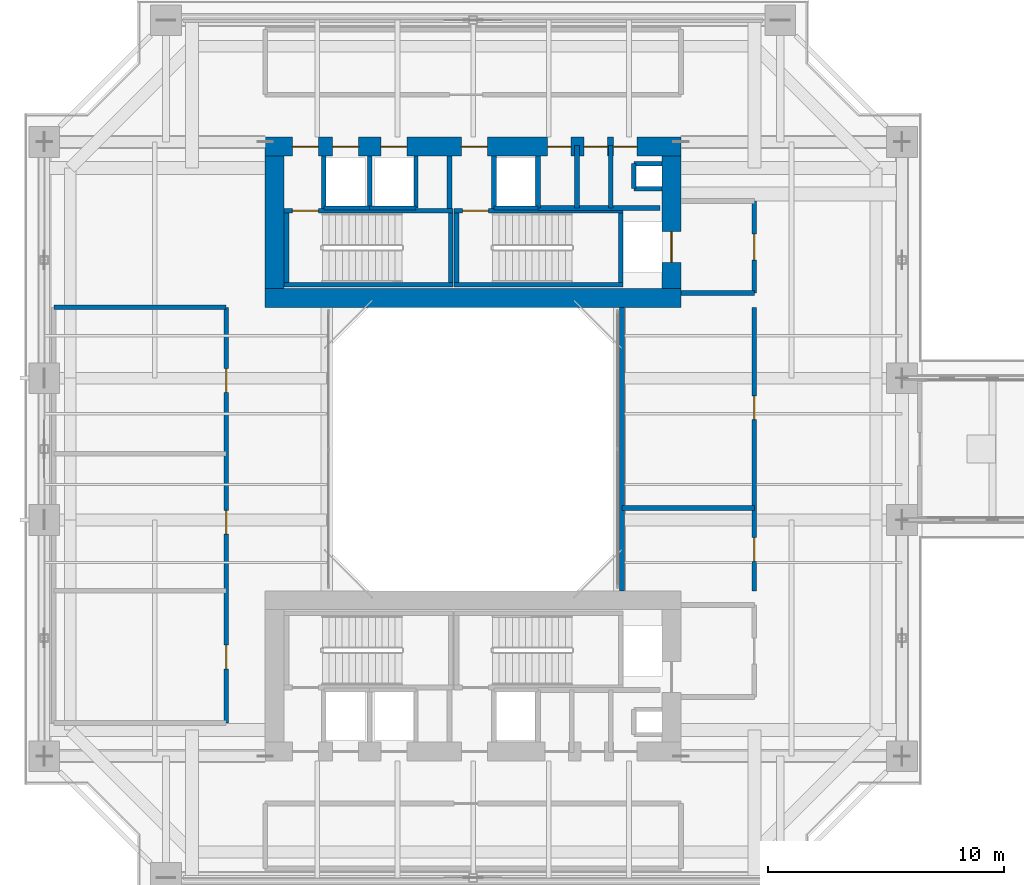
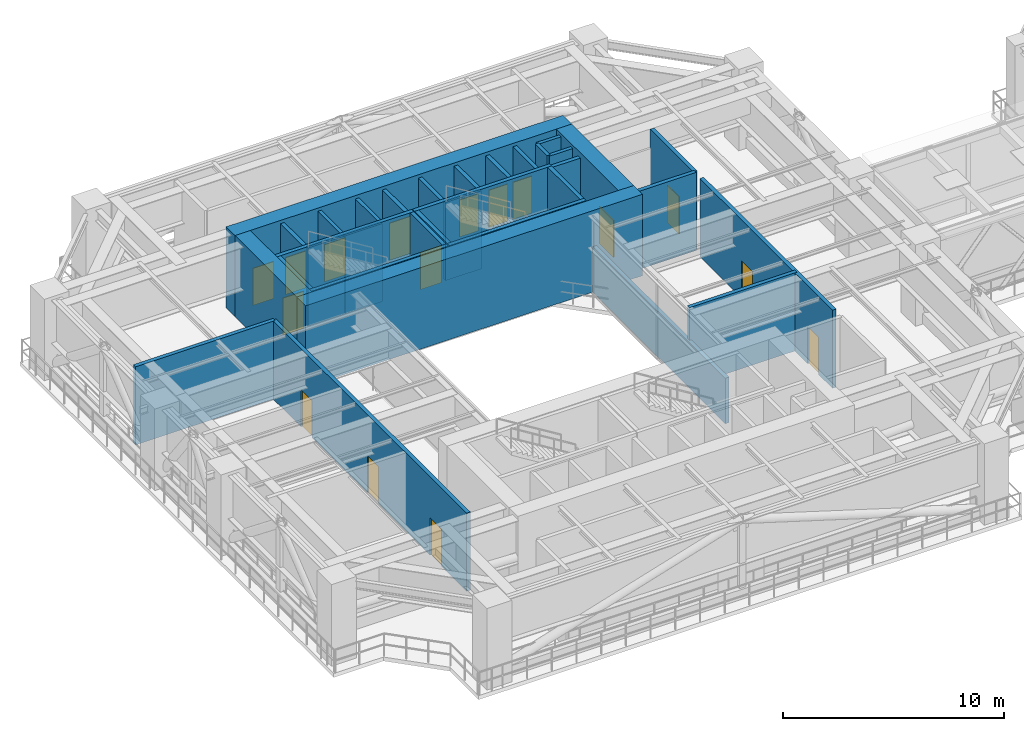
# One storey, part 18 of 25: 34 walls, 16 doors, 16 openings.
"""IFC4 building model written with IfcOpenShell, lengths in metres."""

from ifc_helpers import new_model, si_unit, direction, frame, frame_2d, origin, place, context, subcontext, project, spatial, rectangle, extrude, source, transform, mapped, material, layer, layer_set, type_object, element, fill, save


model = new_model("IFC4")

# Units and contexts
model_context = context("Model", 3, precision=1e-05, world=origin(), true_north=direction((0.0, 1.0)))
body_context = subcontext(model_context, "Body", "Model", "MODEL_VIEW")
ifc_project = project(units=[si_unit("LENGTHUNIT", "METRE"), si_unit("AREAUNIT", "SQUARE_METRE"), si_unit("VOLUMEUNIT", "CUBIC_METRE"), si_unit("PLANEANGLEUNIT", "RADIAN"), si_unit("MASSUNIT", "GRAM", prefix="KILO"), si_unit("THERMODYNAMICTEMPERATUREUNIT", "KELVIN"), si_unit("POWERUNIT", "WATT")], contexts=[model_context])

# Site, building, storey
site_placement = place(None, origin())
site = spatial("IfcSite", under=ifc_project, at=site_placement, CompositionType="ELEMENT")
building_placement = place(site_placement, origin())
building = spatial("IfcBuilding", under=site, at=building_placement, Name="Qiaomeng Ring Towers", CompositionType="ELEMENT")
storey_placement = place(building_placement, frame((0.0, 0.0, 92.5)))
storey = spatial("IfcBuildingStorey", under=building, at=storey_placement, Name="L26", CompositionType="ELEMENT", Elevation=92.5)

# Wall
ifc_material_1 = material(Name="Autoclaved aerated concrete block", Category="concrete")
ifc_layer_1 = layer(ifc_material_1, 0.199951171875, Name="Autoclaved aerated concrete block")
ifc_layer_set_1 = layer_set([ifc_layer_1], Name="Autoclaved aerated concrete block")
wall_type_1 = type_object("IfcWallType", Name="ARC-WL-PW1", PredefinedType="PARTITIONING", material=ifc_layer_set_1)
wall_1_placement = place(storey_placement, frame((27.800048828125, 29.60009765625, 0.0), z_axis=(0.0, 0.0, 1.0), x_axis=(1.0, 0.0, 0.0)))
element("IfcWall", 1, at=wall_1_placement, inside=storey, type_object=wall_type_1, Name="L26 Interior Wall PW1", PredefinedType="PARTITIONING", context=body_context, shape_type="SweptSolid", body=[
    extrude(rectangle(XDim=3.099853515625, YDim=0.199951171875, at=frame_2d((1.5498046875, 0.0))), origin(), (0.0, 0.0, 1.0), 4.320068359375),
])

# Wall, opening, door
wall_2_placement = place(storey_placement, frame((30.89990234375, 29.60009765625, 0.0), z_axis=(0.0, 0.0, 1.0), x_axis=(0.0, 1.0, 0.0)))
wall_2 = element("IfcWall", 2, at=wall_2_placement, inside=storey, type_object=wall_type_1, Name="L26 Interior Wall PW1", PredefinedType="PARTITIONING", context=body_context, shape_type="SweptSolid", body=[
    extrude(rectangle(XDim=3.89990234375, YDim=0.199951171875, at=frame_2d((1.949951171875, 0.0))), origin(), (0.0, 0.0, 1.0), 4.320068359375),
])
opening_1_placement = place(wall_2_placement, frame((1.39990234375, 0.0, 0.0)))
opening_1 = element("IfcOpeningElement", 3, at=opening_1_placement, cuts=wall_2, Name="Opening FD3", PredefinedType="OPENING", context=body_context, shape_type="SweptSolid", body=[
    extrude(rectangle(XDim=1.10009765625, YDim=2.050048828125, at=frame_2d((0.550048828125, 1.02490234375))), frame((0.0, 0.10986328125, 0.0), z_axis=(0.0, -1.0, 0.0), x_axis=(1.0, 0.0, 0.0)), (0.0, 0.0, 1.0), 0.219970703125),
])
ifc_material_2 = material(Name="Galvanised steel", Category="steel")
door_type_1 = type_object("IfcDoorType", Name="ARC-DR-FD3", OperationType="NOTDEFINED", PredefinedType="DOOR", material=ifc_material_2)
shared_shape_1 = source(origin(), body_context, "Body", "SweptSolid", [
    extrude(rectangle(XDim=1.10009765625, YDim=2.050048828125, at=frame_2d((0.550048828125, 1.02490234375))), frame((0.0, 0.02490234375, 0.0), z_axis=(0.0, -1.0, 0.0), x_axis=(1.0, 0.0, 0.0)), (0.0, 0.0, 1.0), 0.050048828125),
])
door_1_placement = place(opening_1_placement, origin())
door_1 = element("IfcDoor", 4, at=door_1_placement, inside=storey, type_object=door_type_1, Name="L26 North FF Lobby Door", OperationType="SINGLE_SWING_LEFT", OverallHeight=2.050048828125, OverallWidth=1.10009765625, PredefinedType="DOOR", context=body_context, shape_type="MappedRepresentation", body=[
    mapped(shared_shape_1, transform((0.0, 0.0, 0.0), x_axis=(1.0, 0.0, 0.0), y_axis=(0.0, 1.0, 0.0), z_axis=(0.0, 0.0, 1.0), scale=1.0)),
])
fill(opening_1, door_1)

# Walls
for number, where, z_axis, x_axis, name in (
    (5, (12.679931640625, 33.18994140625, 0.0), (0.0, 0.0, 1.0), (0.0, 1.0, 0.0), "L26 Interior Wall PW1"),
    (6, (18.0, 33.18994140625, 0.0), (0.0, 0.0, 1.0), (0.0, 1.0, 0.0), "L26 Interior Wall PW1"),
    (7, (19.8798828125, 33.18994140625, 0.0), (0.0, 0.0, 1.0), (0.0, 1.0, 0.0), "L26 Interior Wall PW1"),
):
    element("IfcWall", number, at=place(storey_placement, frame(where, z_axis=z_axis, x_axis=x_axis)), inside=storey, type_object=wall_type_1, Name=name, PredefinedType="PARTITIONING", context=body_context, shape_type="SweptSolid", body=[
        extrude(rectangle(XDim=2.2099609375, YDim=0.199951171875, at=frame_2d((1.10498046875, 0.0))), origin(), (0.0, 0.0, 1.0), 4.320068359375),
    ])
wall_3_placement = place(storey_placement, frame((24.820068359375, 33.199951171875, 0.0), z_axis=(0.0, 0.0, 1.0), x_axis=(0.0, 1.0, 0.0)))
element("IfcWall", 8, at=wall_3_placement, inside=storey, type_object=wall_type_1, Name="L26 Interior Wall PW1", PredefinedType="PARTITIONING", context=body_context, shape_type="SweptSolid", body=[
    extrude(rectangle(XDim=2.650146484375, YDim=0.199951171875, at=frame_2d((1.3251953125, 0.0))), origin(), (0.0, 0.0, 1.0), 4.320068359375),
])
wall_4_placement = place(storey_placement, frame((21.75, 33.199951171875, 0.0), z_axis=(0.0, 0.0, 1.0), x_axis=(0.0, 1.0, 0.0)))
element("IfcWall", 9, at=wall_4_placement, inside=storey, type_object=wall_type_1, Name="L26 Interior Wall PW1", PredefinedType="PARTITIONING", context=body_context, shape_type="SweptSolid", body=[
    extrude(rectangle(XDim=2.199951171875, YDim=0.199951171875, at=frame_2d((1.10009765625, 0.0))), origin(), (0.0, 0.0, 1.0), 4.320068359375),
])
wall_5_placement = place(storey_placement, frame((23.39990234375, 33.199951171875, 0.0), z_axis=(0.0, 0.0, 1.0), x_axis=(0.0, 1.0, 0.0)))
element("IfcWall", 10, at=wall_5_placement, inside=storey, type_object=wall_type_1, Name="L26 Interior Wall PW1", PredefinedType="PARTITIONING", context=body_context, shape_type="SweptSolid", body=[
    extrude(rectangle(XDim=2.650146484375, YDim=0.199951171875, at=frame_2d((1.3251953125, 0.0))), origin(), (0.0, 0.0, 1.0), 4.320068359375),
])
wall_6_placement = place(storey_placement, frame((21.75, 33.199951171875, 0.0), z_axis=(0.0, 0.0, 1.0), x_axis=(1.0, 0.0, 0.0)))
element("IfcWall", 11, at=wall_6_placement, inside=storey, type_object=wall_type_1, Name="L26 Interior Wall PW1", PredefinedType="PARTITIONING", context=body_context, shape_type="SweptSolid", body=[
    extrude(rectangle(XDim=5.169921875, YDim=0.199951171875, at=frame_2d((2.5849609375, 0.0))), origin(), (0.0, 0.0, 1.0), 4.320068359375),
])

# Wall, openings, doors
wall_7_placement = place(storey_placement, frame((8.550048828125, 11.39990234375, 0.0), z_axis=(0.0, 0.0, 1.0), x_axis=(0.0, 1.0, 0.0)))
wall_7 = element("IfcWall", 12, at=wall_7_placement, inside=storey, type_object=wall_type_1, Name="L26 Interior Wall PW1", PredefinedType="PARTITIONING", context=body_context, shape_type="SweptSolid", body=[
    extrude(rectangle(XDim=17.60009765625, YDim=0.199951171875, at=frame_2d((8.800048828125, 0.0))), origin(), (0.0, 0.0, 1.0), 4.320068359375),
])
opening_2_placement = place(wall_7_placement, frame((8.0, 0.0, 0.0)))
opening_2 = element("IfcOpeningElement", 13, at=opening_2_placement, cuts=wall_7, Name="Opening FD1", PredefinedType="OPENING", context=body_context, shape_type="SweptSolid", body=[
    extrude(rectangle(XDim=1.0, YDim=2.050048828125, at=frame_2d((0.5, 1.02490234375))), frame((0.0, 0.10986328125, 0.0), z_axis=(0.0, -1.0, 0.0), x_axis=(1.0, 0.0, 0.0)), (0.0, 0.0, 1.0), 0.219970703125),
])
opening_3_placement = place(wall_7_placement, frame((14.0, 0.0, 0.0)))
opening_3 = element("IfcOpeningElement", 14, at=opening_3_placement, cuts=wall_7, Name="Opening FD1", PredefinedType="OPENING", context=body_context, shape_type="SweptSolid", body=[
    extrude(rectangle(XDim=1.0, YDim=2.050048828125, at=frame_2d((0.5, 1.02490234375))), frame((0.0, 0.10986328125, 0.0), z_axis=(0.0, -1.0, 0.0), x_axis=(1.0, 0.0, 0.0)), (0.0, 0.0, 1.0), 0.219970703125),
])
opening_4_placement = place(wall_7_placement, frame((2.300048828125, 0.0, 0.0)))
opening_4 = element("IfcOpeningElement", 15, at=opening_4_placement, cuts=wall_7, Name="Opening FD1", PredefinedType="OPENING", context=body_context, shape_type="SweptSolid", body=[
    extrude(rectangle(XDim=1.0, YDim=2.050048828125, at=frame_2d((0.5, 1.02490234375))), frame((0.0, 0.10986328125, 0.0), z_axis=(0.0, -1.0, 0.0), x_axis=(1.0, 0.0, 0.0)), (0.0, 0.0, 1.0), 0.219970703125),
])
door_type_2 = type_object("IfcDoorType", Name="ARC-DR-FD1", OperationType="NOTDEFINED", PredefinedType="DOOR", material=ifc_material_2)
shared_shape_2 = source(origin(), body_context, "Body", "SweptSolid", [
    extrude(rectangle(XDim=1.0, YDim=2.050048828125, at=frame_2d((0.5, 1.02490234375))), frame((0.0, 0.02490234375, 0.0), z_axis=(0.0, -1.0, 0.0), x_axis=(1.0, 0.0, 0.0)), (0.0, 0.0, 1.0), 0.050048828125),
])
door_2_placement = place(opening_2_placement, origin())
door_2 = element("IfcDoor", 16, at=door_2_placement, inside=storey, type_object=door_type_2, Name="L26 Door FD1", OperationType="SINGLE_SWING_LEFT", OverallHeight=2.050048828125, OverallWidth=1.0, PredefinedType="DOOR", context=body_context, shape_type="MappedRepresentation", body=[
    mapped(shared_shape_2, transform((0.0, 0.0, 0.0), x_axis=(1.0, 0.0, 0.0), y_axis=(0.0, 1.0, 0.0), z_axis=(0.0, 0.0, 1.0), scale=1.0)),
])
fill(opening_2, door_2)
door_3_placement = place(opening_3_placement, origin())
door_3 = element("IfcDoor", 17, at=door_3_placement, inside=storey, type_object=door_type_2, Name="L26 Door FD1", OperationType="SINGLE_SWING_RIGHT", OverallHeight=2.050048828125, OverallWidth=1.0, PredefinedType="DOOR", context=body_context, shape_type="MappedRepresentation", body=[
    mapped(shared_shape_2, transform((0.0, 0.0, 0.0), x_axis=(1.0, 0.0, 0.0), y_axis=(0.0, 1.0, 0.0), z_axis=(0.0, 0.0, 1.0), scale=1.0)),
])
fill(opening_3, door_3)
door_4_placement = place(opening_4_placement, origin())
door_4 = element("IfcDoor", 18, at=door_4_placement, inside=storey, type_object=door_type_2, Name="L26 Door FD1", OperationType="SINGLE_SWING_LEFT", OverallHeight=2.050048828125, OverallWidth=1.0, PredefinedType="DOOR", context=body_context, shape_type="MappedRepresentation", body=[
    mapped(shared_shape_2, transform((0.0, 0.0, 0.0), x_axis=(1.0, 0.0, 0.0), y_axis=(0.0, 1.0, 0.0), z_axis=(0.0, 0.0, 1.0), scale=1.0)),
])
fill(opening_4, door_4)

# Walls
wall_8_placement = place(storey_placement, frame((1.25, 29.0, 0.0), z_axis=(0.0, 0.0, 1.0), x_axis=(1.0, 0.0, 0.0)))
element("IfcWall", 19, at=wall_8_placement, inside=storey, type_object=wall_type_1, Name="L26 Interior Wall PW1", PredefinedType="PARTITIONING", context=body_context, shape_type="SweptSolid", body=[
    extrude(rectangle(XDim=7.300048828125, YDim=0.199951171875, at=frame_2d((3.64990234375, 0.0))), origin(), (0.0, 0.0, 1.0), 4.320068359375),
])
wall_9_placement = place(storey_placement, frame((25.300048828125, 17.0, 0.0), z_axis=(0.0, 0.0, 1.0), x_axis=(0.0, 1.0, 0.0)))
element("IfcWall", 20, at=wall_9_placement, inside=storey, type_object=wall_type_1, Name="L26 Interior Wall PW1", PredefinedType="PARTITIONING", context=body_context, shape_type="SweptSolid", body=[
    extrude(rectangle(XDim=12.0, YDim=0.199951171875, at=frame_2d((6.0, 0.0))), origin(), (0.0, 0.0, 1.0), 2.514892578125),
])
wall_10_placement = place(storey_placement, frame((25.300048828125, 20.5, 0.0), z_axis=(0.0, 0.0, 1.0), x_axis=(1.0, 0.0, 0.0)))
element("IfcWall", 21, at=wall_10_placement, inside=storey, type_object=wall_type_1, Name="L26 Interior Wall PW1", PredefinedType="PARTITIONING", context=body_context, shape_type="SweptSolid", body=[
    extrude(rectangle(XDim=5.599853515625, YDim=0.199951171875, at=frame_2d((2.7998046875, 0.0))), origin(), (0.0, 0.0, 1.0), 4.320068359375),
])

# Wall, openings, doors
wall_11_placement = place(storey_placement, frame((30.89990234375, 17.0, 0.0), z_axis=(0.0, 0.0, 1.0), x_axis=(0.0, 1.0, 0.0)))
wall_11 = element("IfcWall", 22, at=wall_11_placement, inside=storey, type_object=wall_type_1, Name="L26 Interior Wall PW1", PredefinedType="PARTITIONING", context=body_context, shape_type="SweptSolid", body=[
    extrude(rectangle(XDim=12.0, YDim=0.199951171875, at=frame_2d((6.0, 0.0))), origin(), (0.0, 0.0, 1.0), 4.320068359375),
])
opening_5_placement = place(wall_11_placement, frame((1.25, 0.0, 0.0)))
opening_5 = element("IfcOpeningElement", 23, at=opening_5_placement, cuts=wall_11, Name="Opening FD1", PredefinedType="OPENING", context=body_context, shape_type="SweptSolid", body=[
    extrude(rectangle(XDim=1.0, YDim=2.050048828125, at=frame_2d((0.5, 1.02490234375))), frame((0.0, 0.10986328125, 0.0), z_axis=(0.0, -1.0, 0.0), x_axis=(1.0, 0.0, 0.0)), (0.0, 0.0, 1.0), 0.219970703125),
])
opening_6_placement = place(wall_11_placement, frame((7.25, 0.0, 0.0)))
opening_6 = element("IfcOpeningElement", 24, at=opening_6_placement, cuts=wall_11, Name="Opening FD1", PredefinedType="OPENING", context=body_context, shape_type="SweptSolid", body=[
    extrude(rectangle(XDim=1.0, YDim=2.050048828125, at=frame_2d((0.5, 1.02490234375))), frame((0.0, 0.10986328125, 0.0), z_axis=(0.0, -1.0, 0.0), x_axis=(1.0, 0.0, 0.0)), (0.0, 0.0, 1.0), 0.219970703125),
])
door_5_placement = place(opening_5_placement, origin())
door_5 = element("IfcDoor", 25, at=door_5_placement, inside=storey, type_object=door_type_2, Name="L26 Door FD1", OperationType="SINGLE_SWING_RIGHT", OverallHeight=2.050048828125, OverallWidth=1.0, PredefinedType="DOOR", context=body_context, shape_type="MappedRepresentation", body=[
    mapped(shared_shape_2, transform((0.0, 0.0, 0.0), x_axis=(1.0, 0.0, 0.0), y_axis=(0.0, 1.0, 0.0), z_axis=(0.0, 0.0, 1.0), scale=1.0)),
])
fill(opening_5, door_5)
door_6_placement = place(opening_6_placement, origin())
door_6 = element("IfcDoor", 26, at=door_6_placement, inside=storey, type_object=door_type_2, Name="L26 Door FD1", OperationType="SINGLE_SWING_LEFT", OverallHeight=2.050048828125, OverallWidth=1.0, PredefinedType="DOOR", context=body_context, shape_type="MappedRepresentation", body=[
    mapped(shared_shape_2, transform((0.0, 0.0, 0.0), x_axis=(1.0, 0.0, 0.0), y_axis=(0.0, 1.0, 0.0), z_axis=(0.0, 0.0, 1.0), scale=1.0)),
])
fill(opening_6, door_6)

# Walls
ifc_material_3 = material(Name="Concrete C40", Category="concrete")
ifc_layer_2 = layer(ifc_material_3, 0.199951171875, Name="Concrete C40")
ifc_layer_set_2 = layer_set([ifc_layer_2], Name="Concrete C40")
wall_type_2 = type_object("IfcWallType", Name="STR-WL-STSHAFT", PredefinedType="SHEAR", material=ifc_layer_set_2)
wall_12_placement = place(storey_placement, frame((12.679931640625, 33.199951171875, 0.0), z_axis=(0.0, 0.0, 1.0), x_axis=(1.0, 0.0, 0.0)))
element("IfcWall", 27, at=wall_12_placement, inside=storey, type_object=wall_type_2, Name="L26 Lift LP5 Shaft Back Wall", PredefinedType="SHEAR", context=body_context, shape_type="SweptSolid", body=[
    extrude(rectangle(XDim=1.940185546875, YDim=0.179931640625, at=frame_2d((0.97021484375, 0.0))), origin(), (0.0, 0.0, 1.0), 4.320068359375),
])
wall_13_placement = place(storey_placement, frame((14.6201171875, 33.199951171875, 0.0), z_axis=(0.0, 0.0, 1.0), x_axis=(0.0, 1.0, 0.0)))
element("IfcWall", 28, at=wall_13_placement, inside=storey, type_object=wall_type_2, Name="L26 Lift LP5-LP3 Shaft Divider Wall", PredefinedType="SHEAR", context=body_context, shape_type="SweptSolid", body=[
    extrude(rectangle(XDim=2.199951171875, YDim=0.179931640625, at=frame_2d((1.10009765625, 0.0))), origin(), (0.0, 0.0, 1.0), 4.320068359375),
])
wall_14_placement = place(storey_placement, frame((25.800048828125, 34.02001953125, 0.0), z_axis=(0.0, 0.0, 1.0), x_axis=(0.0, 1.0, 0.0)))
element("IfcWall", 29, at=wall_14_placement, inside=storey, type_object=wall_type_2, Name="L26 Riser RSR1 West Shaft Wall N", PredefinedType="SHEAR", context=body_context, shape_type="SweptSolid", body=[
    extrude(rectangle(XDim=1.06005859375, YDim=0.179931640625, at=frame_2d((0.530029296875, 0.0))), origin(), (0.0, 0.0, 1.0), 4.320068359375),
])
for number, where, z_axis, x_axis, name in (
    (30, (25.800048828125, 35.080078125, 0.0), (0.0, 0.0, 1.0), (1.0, 0.0, 0.0), "L26 Riser RSR1 North Shaft Wall N"),
    (31, (25.800048828125, 34.02001953125, 0.0), (0.0, 0.0, 1.0), (1.0, 0.0, 0.0), "L26 Riser RSR1 South Shaft Wall N"),
):
    element("IfcWall", number, at=place(storey_placement, frame(where, z_axis=z_axis, x_axis=x_axis)), inside=storey, type_object=wall_type_2, Name=name, PredefinedType="SHEAR", context=body_context, shape_type="SweptSolid", body=[
        extrude(rectangle(XDim=1.199951171875, YDim=0.179931640625, at=frame_2d((0.60009765625, 0.0))), origin(), (0.0, 0.0, 1.0), 4.320068359375),
    ])
wall_15_placement = place(storey_placement, frame((14.6201171875, 33.199951171875, 0.0), z_axis=(0.0, 0.0, 1.0), x_axis=(1.0, 0.0, 0.0)))
element("IfcWall", 32, at=wall_15_placement, inside=storey, type_object=wall_type_2, Name="L26 Lift LP3 Shaft Back Wall", PredefinedType="SHEAR", context=body_context, shape_type="SweptSolid", body=[
    extrude(rectangle(XDim=1.9599609375, YDim=0.179931640625, at=frame_2d((0.97998046875, 0.0))), origin(), (0.0, 0.0, 1.0), 4.320068359375),
])
wall_16_placement = place(storey_placement, frame((16.580078125, 33.199951171875, 0.0), z_axis=(0.0, 0.0, 1.0), x_axis=(0.0, 1.0, 0.0)))
element("IfcWall", 33, at=wall_16_placement, inside=storey, type_object=wall_type_2, Name="L26 Lift LP3 East Shaft Wall", PredefinedType="SHEAR", context=body_context, shape_type="SweptSolid", body=[
    extrude(rectangle(XDim=2.199951171875, YDim=0.179931640625, at=frame_2d((1.10009765625, 0.0))), origin(), (0.0, 0.0, 1.0), 4.320068359375),
])
wall_17_placement = place(storey_placement, frame((19.8798828125, 33.199951171875, 0.0), z_axis=(0.0, 0.0, 1.0), x_axis=(1.0, 0.0, 0.0)))
element("IfcWall", 34, at=wall_17_placement, inside=storey, type_object=wall_type_2, Name="L26 Lift LP1 Shaft Back Wall", PredefinedType="SHEAR", context=body_context, shape_type="SweptSolid", body=[
    extrude(rectangle(XDim=1.8701171875, YDim=0.179931640625, at=frame_2d((0.93505859375, 0.0))), origin(), (0.0, 0.0, 1.0), 4.320068359375),
])
wall_18_placement = place(storey_placement, frame((11.0, 29.949951171875, 0.0), z_axis=(0.0, 0.0, 1.0), x_axis=(1.0, 0.0, 0.0)))
element("IfcWall", 35, at=wall_18_placement, inside=storey, type_object=wall_type_2, Name="L26 Stair ST1 South Shaft Shear Wall", PredefinedType="SHEAR", context=body_context, shape_type="SweptSolid", body=[
    extrude(rectangle(XDim=7.14990234375, YDim=0.199951171875, at=frame_2d((3.574951171875, 0.0))), origin(), (0.0, 0.0, 1.0), 4.5),
])

# Wall, opening, door
wall_19_placement = place(storey_placement, frame((11.0, 33.090087890625, 0.0), z_axis=(0.0, 0.0, 1.0), x_axis=(1.0, 0.0, 0.0)))
wall_19 = element("IfcWall", 36, at=wall_19_placement, inside=storey, type_object=wall_type_2, Name="L26 Stair ST1 North Shaft Shear Wall", PredefinedType="SHEAR", context=body_context, shape_type="SweptSolid", body=[
    extrude(rectangle(XDim=7.14990234375, YDim=0.199951171875, at=frame_2d((3.574951171875, 0.0))), origin(), (0.0, 0.0, 1.0), 4.5),
])
opening_7_placement = place(wall_19_placement, frame((0.35009765625, 0.0, 0.0)))
opening_7 = element("IfcOpeningElement", 37, at=opening_7_placement, cuts=wall_19, Name="Opening FD3", PredefinedType="OPENING", context=body_context, shape_type="SweptSolid", body=[
    extrude(rectangle(XDim=1.10009765625, YDim=2.050048828125, at=frame_2d((0.550048828125, 1.02490234375))), frame((0.0, 0.10986328125, 0.0), z_axis=(0.0, -1.0, 0.0), x_axis=(1.0, 0.0, 0.0)), (0.0, 0.0, 1.0), 0.219970703125),
])
door_7_placement = place(opening_7_placement, origin())
door_7 = element("IfcDoor", 38, at=door_7_placement, inside=storey, type_object=door_type_1, Name="L26 Stair ST1 Exit Door", OperationType="SINGLE_SWING_RIGHT", OverallHeight=2.050048828125, OverallWidth=1.10009765625, PredefinedType="DOOR", context=body_context, shape_type="MappedRepresentation", body=[
    mapped(shared_shape_1, transform((0.0, 0.0, 0.0), x_axis=(1.0, 0.0, 0.0), y_axis=(0.0, 1.0, 0.0), z_axis=(0.0, 0.0, 1.0), scale=1.0)),
])
fill(opening_7, door_7)

# Walls
for number, where, z_axis, x_axis, name in (
    (39, (11.10009765625, 30.050048828125, 0.0), (0.0, 0.0, 1.0), (0.0, 1.0, 0.0), "L26 Stair ST1 West Shaft Shear Wall"),
    (40, (18.050048828125, 30.050048828125, 0.0), (0.0, 0.0, 1.0), (0.0, 1.0, 0.0), "L26 Stair ST1 East Shaft Shear Wall"),
):
    element("IfcWall", number, at=place(storey_placement, frame(where, z_axis=z_axis, x_axis=x_axis)), inside=storey, type_object=wall_type_2, Name=name, PredefinedType="SHEAR", context=body_context, shape_type="SweptSolid", body=[
        extrude(rectangle(XDim=2.93994140625, YDim=0.199951171875, at=frame_2d((1.469970703125, 0.0))), origin(), (0.0, 0.0, 1.0), 4.5),
    ])
wall_20_placement = place(storey_placement, frame((18.199951171875, 29.949951171875, 0.0), z_axis=(0.0, 0.0, 1.0), x_axis=(1.0, 0.0, 0.0)))
element("IfcWall", 41, at=wall_20_placement, inside=storey, type_object=wall_type_2, Name="L26 Stair ST2 South Shaft Shear Wall", PredefinedType="SHEAR", context=body_context, shape_type="SweptSolid", body=[
    extrude(rectangle(XDim=7.150146484375, YDim=0.199951171875, at=frame_2d((3.5751953125, 0.0))), origin(), (0.0, 0.0, 1.0), 4.5),
])

# Wall, opening, door
wall_21_placement = place(storey_placement, frame((18.199951171875, 33.090087890625, 0.0), z_axis=(0.0, 0.0, 1.0), x_axis=(1.0, 0.0, 0.0)))
wall_21 = element("IfcWall", 42, at=wall_21_placement, inside=storey, type_object=wall_type_2, Name="L26 Stair ST2 North Shaft Shear Wall", PredefinedType="SHEAR", context=body_context, shape_type="SweptSolid", body=[
    extrude(rectangle(XDim=7.150146484375, YDim=0.199951171875, at=frame_2d((3.5751953125, 0.0))), origin(), (0.0, 0.0, 1.0), 4.5),
])
opening_8_placement = place(wall_21_placement, frame((0.35009765625, 0.0, 0.0)))
opening_8 = element("IfcOpeningElement", 43, at=opening_8_placement, cuts=wall_21, Name="Opening FD3", PredefinedType="OPENING", context=body_context, shape_type="SweptSolid", body=[
    extrude(rectangle(XDim=1.10009765625, YDim=2.050048828125, at=frame_2d((0.550048828125, 1.02490234375))), frame((0.0, 0.10986328125, 0.0), z_axis=(0.0, -1.0, 0.0), x_axis=(1.0, 0.0, 0.0)), (0.0, 0.0, 1.0), 0.219970703125),
])
door_8_placement = place(opening_8_placement, origin())
door_8 = element("IfcDoor", 44, at=door_8_placement, inside=storey, type_object=door_type_1, Name="L26 Stair ST2 Exit Door", OperationType="SINGLE_SWING_RIGHT", OverallHeight=2.050048828125, OverallWidth=1.10009765625, PredefinedType="DOOR", context=body_context, shape_type="MappedRepresentation", body=[
    mapped(shared_shape_1, transform((0.0, 0.0, 0.0), x_axis=(1.0, 0.0, 0.0), y_axis=(0.0, 1.0, 0.0), z_axis=(0.0, 0.0, 1.0), scale=1.0)),
])
fill(opening_8, door_8)

# Walls
for number, where, z_axis, x_axis, name in (
    (45, (18.300048828125, 30.050048828125, 0.0), (0.0, 0.0, 1.0), (0.0, 1.0, 0.0), "L26 Stair ST2 West Shaft Shear Wall"),
    (46, (25.25, 30.050048828125, 0.0), (0.0, 0.0, 1.0), (0.0, 1.0, 0.0), "L26 Stair ST2 East Shaft Shear Wall"),
):
    element("IfcWall", number, at=place(storey_placement, frame(where, z_axis=z_axis, x_axis=x_axis)), inside=storey, type_object=wall_type_2, Name=name, PredefinedType="SHEAR", context=body_context, shape_type="SweptSolid", body=[
        extrude(rectangle(XDim=2.93994140625, YDim=0.199951171875, at=frame_2d((1.469970703125, 0.0))), origin(), (0.0, 0.0, 1.0), 4.5),
    ])
ifc_material_4 = material(Name="Concrete C60", Category="concrete")
ifc_layer_3 = layer(ifc_material_4, 0.800048828125, Name="Concrete C60")
ifc_layer_set_3 = layer_set([ifc_layer_3], Name="Concrete C60")
wall_type_3 = type_object("IfcWallType", Name="STR-WL-SW1", PredefinedType="SHEAR", material=ifc_layer_set_3)
wall_22_placement = place(storey_placement, frame((10.199951171875, 29.39990234375, 0.0), z_axis=(0.0, 0.0, 1.0), x_axis=(1.0, 0.0, 0.0)))
element("IfcWall", 47, at=wall_22_placement, inside=storey, type_object=wall_type_3, Name="L26 T1NC south core shear wall", PredefinedType="SHEAR", context=body_context, shape_type="SweptSolid", body=[
    extrude(rectangle(XDim=17.60009765625, YDim=0.800048828125, at=frame_2d((8.800048828125, 0.0))), origin(), (0.0, 0.0, 1.0), 4.5),
])

# Wall, openings, doors
wall_23_placement = place(storey_placement, frame((10.199951171875, 35.800048828125, 0.0), z_axis=(0.0, 0.0, 1.0), x_axis=(1.0, 0.0, 0.0)))
wall_23 = element("IfcWall", 48, at=wall_23_placement, inside=storey, type_object=wall_type_3, Name="L26 T1NC north core shear wall", PredefinedType="SHEAR", context=body_context, shape_type="SweptSolid", body=[
    extrude(rectangle(XDim=17.60009765625, YDim=0.800048828125, at=frame_2d((8.800048828125, 0.0))), origin(), (0.0, 0.0, 1.0), 4.5),
])
opening_9_placement = place(wall_23_placement, frame((1.14990234375, 0.0, 0.0)))
opening_9 = element("IfcOpeningElement", 49, at=opening_9_placement, cuts=wall_23, Name="Opening FD3", PredefinedType="OPENING", context=body_context, shape_type="SweptSolid", body=[
    extrude(rectangle(XDim=1.10009765625, YDim=2.050048828125, at=frame_2d((0.550048828125, 1.02490234375))), frame((0.0, 0.409912109375, 0.0), z_axis=(0.0, -1.0, 0.0), x_axis=(1.0, 0.0, 0.0)), (0.0, 0.0, 1.0), 0.820068359375),
])
opening_10_placement = place(wall_23_placement, frame((8.300048828125, 0.0, 0.0)))
opening_10 = element("IfcOpeningElement", 50, at=opening_10_placement, cuts=wall_23, Name="Opening FD3", PredefinedType="OPENING", context=body_context, shape_type="SweptSolid", body=[
    extrude(rectangle(XDim=1.10009765625, YDim=2.050048828125, at=frame_2d((0.550048828125, 1.02490234375))), frame((0.0, 0.409912109375, 0.0), z_axis=(0.0, -1.0, 0.0), x_axis=(1.0, 0.0, 0.0)), (0.0, 0.0, 1.0), 0.820068359375),
])
opening_11_placement = place(wall_23_placement, frame((4.89990234375, 0.0, 0.0)))
opening_11 = element("IfcOpeningElement", 51, at=opening_11_placement, cuts=wall_23, Name="Opening LD1", PredefinedType="OPENING", context=body_context, shape_type="SweptSolid", body=[
    extrude(rectangle(XDim=1.10009765625, YDim=2.050048828125, at=frame_2d((0.550048828125, 1.02490234375))), frame((0.0, 0.409912109375, 0.0), z_axis=(0.0, -1.0, 0.0), x_axis=(1.0, 0.0, 0.0)), (0.0, 0.0, 1.0), 0.820068359375),
])
opening_12_placement = place(wall_23_placement, frame((2.85009765625, 0.0, 0.0)))
opening_12 = element("IfcOpeningElement", 52, at=opening_12_placement, cuts=wall_23, Name="Opening LD1", PredefinedType="OPENING", context=body_context, shape_type="SweptSolid", body=[
    extrude(rectangle(XDim=1.10009765625, YDim=2.050048828125, at=frame_2d((0.550048828125, 1.02490234375))), frame((0.0, 0.409912109375, 0.0), z_axis=(0.0, -1.0, 0.0), x_axis=(1.0, 0.0, 0.0)), (0.0, 0.0, 1.0), 0.820068359375),
])
opening_13_placement = place(wall_23_placement, frame((14.739990234375, 0.0, 0.0)))
opening_13 = element("IfcOpeningElement", 53, at=opening_13_placement, cuts=wall_23, Name="Opening FD1", PredefinedType="OPENING", context=body_context, shape_type="SweptSolid", body=[
    extrude(rectangle(XDim=1.0, YDim=2.050048828125, at=frame_2d((0.5, 1.02490234375))), frame((0.0, 0.409912109375, 0.0), z_axis=(0.0, -1.0, 0.0), x_axis=(1.0, 0.0, 0.0)), (0.0, 0.0, 1.0), 0.820068359375),
])
opening_14_placement = place(wall_23_placement, frame((11.949951171875, 0.0, 0.0)))
opening_14 = element("IfcOpeningElement", 54, at=opening_14_placement, cuts=wall_23, Name="Opening FD1", PredefinedType="OPENING", context=body_context, shape_type="SweptSolid", body=[
    extrude(rectangle(XDim=1.0, YDim=2.050048828125, at=frame_2d((0.5, 1.02490234375))), frame((0.0, 0.409912109375, 0.0), z_axis=(0.0, -1.0, 0.0), x_axis=(1.0, 0.0, 0.0)), (0.0, 0.0, 1.0), 0.820068359375),
])
opening_15_placement = place(wall_23_placement, frame((13.485107421875, 0.0, 0.0)))
opening_15 = element("IfcOpeningElement", 55, at=opening_15_placement, cuts=wall_23, Name="Opening FD1", PredefinedType="OPENING", context=body_context, shape_type="SweptSolid", body=[
    extrude(rectangle(XDim=1.0, YDim=2.050048828125, at=frame_2d((0.5, 1.02490234375))), frame((0.0, 0.409912109375, 0.0), z_axis=(0.0, -1.0, 0.0), x_axis=(1.0, 0.0, 0.0)), (0.0, 0.0, 1.0), 0.820068359375),
])
door_9_placement = place(opening_9_placement, origin())
door_9 = element("IfcDoor", 56, at=door_9_placement, inside=storey, type_object=door_type_1, Name="L26 Stair ST1 Lobby Door", OperationType="SINGLE_SWING_LEFT", OverallHeight=2.050048828125, OverallWidth=1.10009765625, PredefinedType="DOOR", context=body_context, shape_type="MappedRepresentation", body=[
    mapped(shared_shape_1, transform((0.0, 0.0, 0.0), x_axis=(1.0, 0.0, 0.0), y_axis=(0.0, 1.0, 0.0), z_axis=(0.0, 0.0, 1.0), scale=1.0)),
])
fill(opening_9, door_9)
door_10_placement = place(opening_10_placement, origin())
door_10 = element("IfcDoor", 57, at=door_10_placement, inside=storey, type_object=door_type_1, Name="L26 Stair ST2 Lobby Door", OperationType="SINGLE_SWING_LEFT", OverallHeight=2.050048828125, OverallWidth=1.10009765625, PredefinedType="DOOR", context=body_context, shape_type="MappedRepresentation", body=[
    mapped(shared_shape_1, transform((0.0, 0.0, 0.0), x_axis=(1.0, 0.0, 0.0), y_axis=(0.0, 1.0, 0.0), z_axis=(0.0, 0.0, 1.0), scale=1.0)),
])
fill(opening_10, door_10)
ifc_material_5 = material(Name="Stainless steel 316", Category="steel")
door_type_3 = type_object("IfcDoorType", Name="ARC-DR-LD1", OperationType="NOTDEFINED", PredefinedType="DOOR", material=ifc_material_5)
door_11_placement = place(opening_11_placement, origin())
door_11 = element("IfcDoor", 58, at=door_11_placement, inside=storey, type_object=door_type_3, Name="L26 Mid-Zone Lift LP3 Landing Door", OperationType="SLIDING_TO_LEFT", OverallHeight=2.050048828125, OverallWidth=1.10009765625, PredefinedType="DOOR", context=body_context, shape_type="MappedRepresentation", body=[
    mapped(shared_shape_1, transform((0.0, 0.0, 0.0), x_axis=(1.0, 0.0, 0.0), y_axis=(0.0, 1.0, 0.0), z_axis=(0.0, 0.0, 1.0), scale=1.0)),
])
fill(opening_11, door_11)
door_12_placement = place(opening_12_placement, origin())
door_12 = element("IfcDoor", 59, at=door_12_placement, inside=storey, type_object=door_type_3, Name="L26 High-Zone Lift LP5 Landing Door", OperationType="SLIDING_TO_LEFT", OverallHeight=2.050048828125, OverallWidth=1.10009765625, PredefinedType="DOOR", context=body_context, shape_type="MappedRepresentation", body=[
    mapped(shared_shape_1, transform((0.0, 0.0, 0.0), x_axis=(1.0, 0.0, 0.0), y_axis=(0.0, 1.0, 0.0), z_axis=(0.0, 0.0, 1.0), scale=1.0)),
])
fill(opening_12, door_12)
door_13_placement = place(opening_13_placement, origin())
door_13 = element("IfcDoor", 60, at=door_13_placement, inside=storey, type_object=door_type_2, Name="L26 North Electrical Riser Door", OperationType="SINGLE_SWING_LEFT", OverallHeight=2.050048828125, OverallWidth=1.0, PredefinedType="DOOR", context=body_context, shape_type="MappedRepresentation", body=[
    mapped(shared_shape_2, transform((0.0, 0.0, 0.0), x_axis=(1.0, 0.0, 0.0), y_axis=(0.0, 1.0, 0.0), z_axis=(0.0, 0.0, 1.0), scale=1.0)),
])
fill(opening_13, door_13)
door_14_placement = place(opening_14_placement, origin())
door_14 = element("IfcDoor", 61, at=door_14_placement, inside=storey, type_object=door_type_2, Name="L26 North Tea Pantry Door", OperationType="SINGLE_SWING_LEFT", OverallHeight=2.050048828125, OverallWidth=1.0, PredefinedType="DOOR", context=body_context, shape_type="MappedRepresentation", body=[
    mapped(shared_shape_2, transform((0.0, 0.0, 0.0), x_axis=(1.0, 0.0, 0.0), y_axis=(0.0, 1.0, 0.0), z_axis=(0.0, 0.0, 1.0), scale=1.0)),
])
fill(opening_14, door_14)
door_15_placement = place(opening_15_placement, origin())
door_15 = element("IfcDoor", 62, at=door_15_placement, inside=storey, type_object=door_type_2, Name="L26 North Cleaners Cupboard Door", OperationType="SINGLE_SWING_RIGHT", OverallHeight=2.050048828125, OverallWidth=1.0, PredefinedType="DOOR", context=body_context, shape_type="MappedRepresentation", body=[
    mapped(shared_shape_2, transform((0.0, 0.0, 0.0), x_axis=(1.0, 0.0, 0.0), y_axis=(0.0, 1.0, 0.0), z_axis=(0.0, 0.0, 1.0), scale=1.0)),
])
fill(opening_15, door_15)

# Wall
wall_24_placement = place(storey_placement, frame((10.60009765625, 29.800048828125, 0.0), z_axis=(0.0, 0.0, 1.0), x_axis=(0.0, 1.0, 0.0)))
element("IfcWall", 63, at=wall_24_placement, inside=storey, type_object=wall_type_3, Name="L26 T1NC west core shear wall", PredefinedType="SHEAR", context=body_context, shape_type="SweptSolid", body=[
    extrude(rectangle(XDim=5.599853515625, YDim=0.800048828125, at=frame_2d((2.7998046875, 0.0))), origin(), (0.0, 0.0, 1.0), 4.5),
])

# Wall, opening, door
wall_25_placement = place(storey_placement, frame((27.39990234375, 29.800048828125, 0.0), z_axis=(0.0, 0.0, 1.0), x_axis=(0.0, 1.0, 0.0)))
wall_25 = element("IfcWall", 64, at=wall_25_placement, inside=storey, type_object=wall_type_3, Name="L26 T1NC east core shear wall", PredefinedType="SHEAR", context=body_context, shape_type="SweptSolid", body=[
    extrude(rectangle(XDim=5.599853515625, YDim=0.800048828125, at=frame_2d((2.7998046875, 0.0))), origin(), (0.0, 0.0, 1.0), 4.5),
])
opening_16_placement = place(wall_25_placement, frame((1.10009765625, 0.0, 0.0)))
opening_16 = element("IfcOpeningElement", 65, at=opening_16_placement, cuts=wall_25, Name="Opening LD2", PredefinedType="OPENING", context=body_context, shape_type="SweptSolid", body=[
    extrude(rectangle(XDim=1.300048828125, YDim=2.050048828125, at=frame_2d((0.64990234375, 1.02490234375))), frame((0.0, 0.409912109375, 0.0), z_axis=(0.0, -1.0, 0.0), x_axis=(1.0, 0.0, 0.0)), (0.0, 0.0, 1.0), 0.820068359375),
])
door_type_4 = type_object("IfcDoorType", Name="ARC-DR-LD2", OperationType="NOTDEFINED", PredefinedType="DOOR", material=ifc_material_5)
shared_shape_3 = source(origin(), body_context, "Body", "SweptSolid", [
    extrude(rectangle(XDim=1.300048828125, YDim=2.050048828125, at=frame_2d((0.64990234375, 1.02490234375))), frame((0.0, 0.02490234375, 0.0), z_axis=(0.0, -1.0, 0.0), x_axis=(1.0, 0.0, 0.0)), (0.0, 0.0, 1.0), 0.050048828125),
])
door_16_placement = place(opening_16_placement, origin())
door_16 = element("IfcDoor", 66, at=door_16_placement, inside=storey, type_object=door_type_4, Name="L26 Firefighting Lift FL1 Landing Door", OperationType="SLIDING_TO_LEFT", OverallHeight=2.050048828125, OverallWidth=1.300048828125, PredefinedType="DOOR", context=body_context, shape_type="MappedRepresentation", body=[
    mapped(shared_shape_3, transform((0.0, 0.0, 0.0), x_axis=(1.0, 0.0, 0.0), y_axis=(0.0, 1.0, 0.0), z_axis=(0.0, 0.0, 1.0), scale=1.0)),
])
fill(opening_16, door_16)

save(model, "model.ifc")
